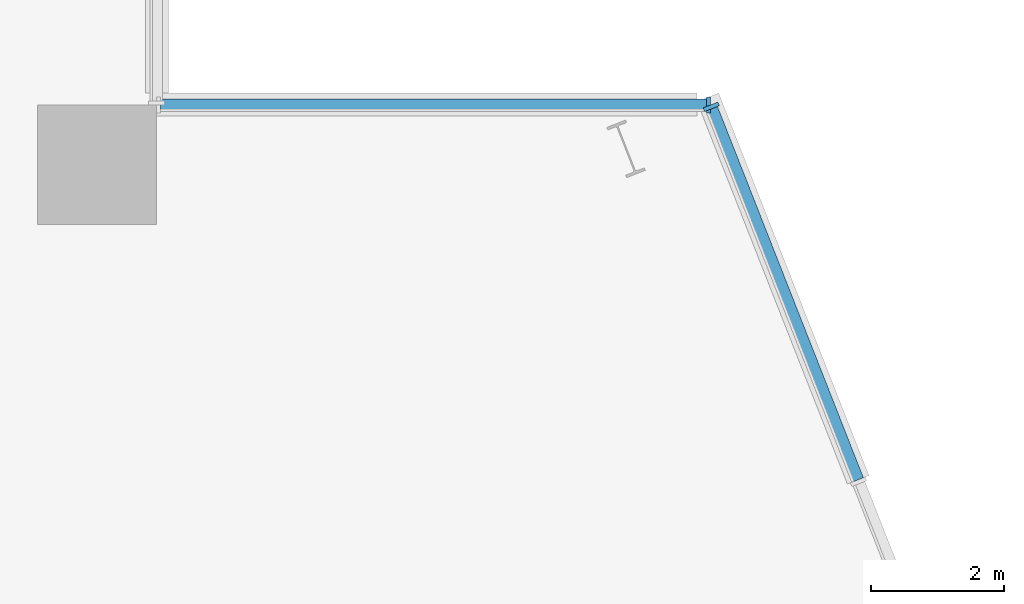
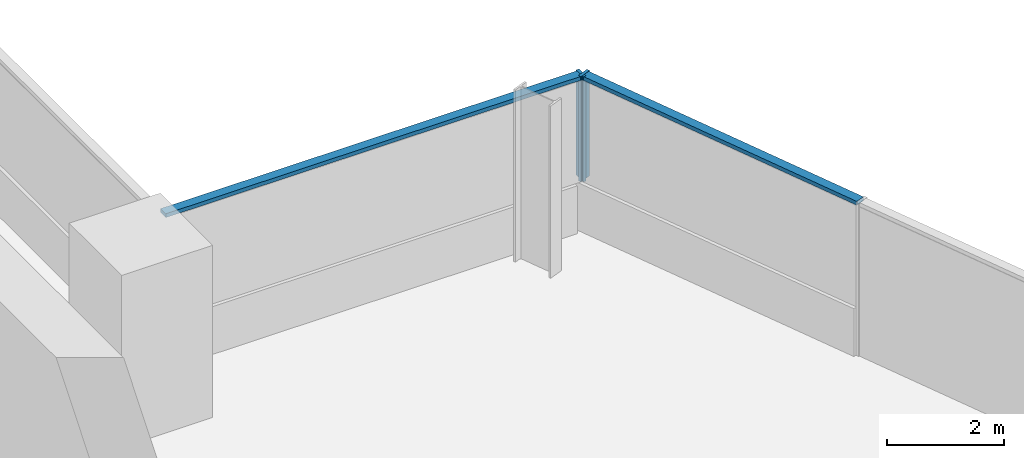
# One storey, part 11 of 25: 4 members, 2 elements without a shape of their own.
"""IFC4 building model written with IfcOpenShell, lengths in metres."""

from ifc_helpers import new_model, si_unit, direction, frame, origin, origin_2d, place, context, subcontext, project, spatial, rectangle, extrude, material, material_profile, profile_set, type_object, element, aggregate, save


model = new_model("IFC4")

# Units and contexts
model_context = context("Model", 3, precision=1e-05, world=origin(), true_north=direction((0.0, 1.0)))
body_context = subcontext(model_context, "Body", "Model", "MODEL_VIEW")
ifc_project = project(units=[si_unit("LENGTHUNIT", "METRE"), si_unit("AREAUNIT", "SQUARE_METRE"), si_unit("VOLUMEUNIT", "CUBIC_METRE"), si_unit("PLANEANGLEUNIT", "RADIAN"), si_unit("MASSUNIT", "GRAM", prefix="KILO")], contexts=[model_context])

# Site, building, storey
site_placement = place(None, origin())
site = spatial("IfcSite", under=ifc_project, at=site_placement, CompositionType="ELEMENT")
building_placement = place(site_placement, origin())
building = spatial("IfcBuilding", under=site, at=building_placement, Name="Wharfspan Tower", CompositionType="ELEMENT")
storey_placement = place(building_placement, frame((0.0, 0.0, 129.100098)))
storey = spatial("IfcBuildingStorey", under=building, at=storey_placement, Name="L30", CompositionType="ELEMENT", Elevation=129.100098)

# Curtain wall, member
ifc_material = material(Name="Aluminium 6063-T6", Category="aluminium")
curtain_wall_type = type_object("IfcCurtainWallType", Name="CURTAIN WALL PROW AND END", PredefinedType="NOTDEFINED", material=ifc_material)
curtain_wall_1_placement = place(storey_placement, origin())
curtain_wall_1 = element("IfcCurtainWall", 1, at=curtain_wall_1_placement, inside=storey, type_object=curtain_wall_type, Name="Curtain wall E", PredefinedType="NOTDEFINED")
ifc_material_profile_1 = material_profile(ifc_material, rectangle(XDim=0.23999, YDim=0.060059, at=origin_2d()))
ifc_profile_set_1 = profile_set([ifc_material_profile_1], Name="Aluminium 6063-T6")
member_type_1 = type_object("IfcMemberType", Name="MULLION PROW AND END 60x240", PredefinedType="MULLION", material=ifc_profile_set_1)
member_1_placement = place(storey_placement, frame((76.369141, 41.972168, 1.0), z_axis=(0.0, 0.0, 1.0), x_axis=(-0.930702, -0.365778, 0.0)))
member_1 = element("IfcMember", 2, at=member_1_placement, type_object=member_type_1, Name="Curtain wall E mullion 8", PredefinedType="MULLION", context=body_context, shape_type="SweptSolid", body=[
    extrude(rectangle(XDim=0.23999, YDim=0.060059, at=origin_2d()), origin(), (0.0, 0.0, 1.0), 2.199951),
])

curtain_wall_2_placement = place(storey_placement, origin())
curtain_wall_2 = element("IfcCurtainWall", 3, at=curtain_wall_2_placement, inside=storey, type_object=curtain_wall_type, Name="Curtain wall NRE-H", PredefinedType="NOTDEFINED")
member_2_placement = place(storey_placement, frame((76.328125, 42.0, 1.0), z_axis=(0.0, 0.0, 1.0), x_axis=(0.0, -1.0, 0.0)))
member_2 = element("IfcMember", 4, at=member_2_placement, type_object=member_type_1, Name="Curtain wall NRE-H mullion 1", PredefinedType="MULLION", context=body_context, shape_type="SweptSolid", body=[
    extrude(rectangle(XDim=0.23999, YDim=0.060059, at=origin_2d()), origin(), (0.0, 0.0, 1.0), 2.199951),
])

# Member
ifc_material_profile_2 = material_profile(ifc_material, rectangle(XDim=0.179932, YDim=0.080078, at=origin_2d()))
ifc_profile_set_2 = profile_set([ifc_material_profile_2], Name="Aluminium 6063-T6")
member_type_2 = type_object("IfcMemberType", Name="TRANSOM PROW AND END 80x180", PredefinedType="USERDEFINED", material=ifc_profile_set_2)
member_3_placement = place(storey_placement, frame((78.581787, 36.342285, 3.159912), z_axis=(-0.365789, 0.930698, 0.0), x_axis=(-0.930698, -0.365789, 0.0)))
member_3 = element("IfcMember", 5, at=member_3_placement, type_object=member_type_2, Name="Curtain wall E transom 7", ObjectType="TRANSOM", PredefinedType="USERDEFINED", context=body_context, shape_type="SweptSolid", body=[
    extrude(rectangle(XDim=0.179932, YDim=0.080078, at=origin_2d()), origin(), (0.0, 0.0, 1.0), 6.019043),
])

aggregate(curtain_wall_1, [member_1, member_3])

member_4_placement = place(storey_placement, frame((76.298096, 42.0, 3.159912), z_axis=(-1.0, 0.0, 0.0), x_axis=(0.0, -1.0, 0.0)))
member_4 = element("IfcMember", 6, at=member_4_placement, type_object=member_type_2, Name="Curtain wall NRE-H transom 1", ObjectType="TRANSOM", PredefinedType="USERDEFINED", context=body_context, shape_type="SweptSolid", body=[
    extrude(rectangle(XDim=0.179932, YDim=0.080078, at=origin_2d()), origin(), (0.0, 0.0, 1.0), 8.238037),
])

aggregate(curtain_wall_2, [member_2, member_4])

save(model, "model.ifc")
